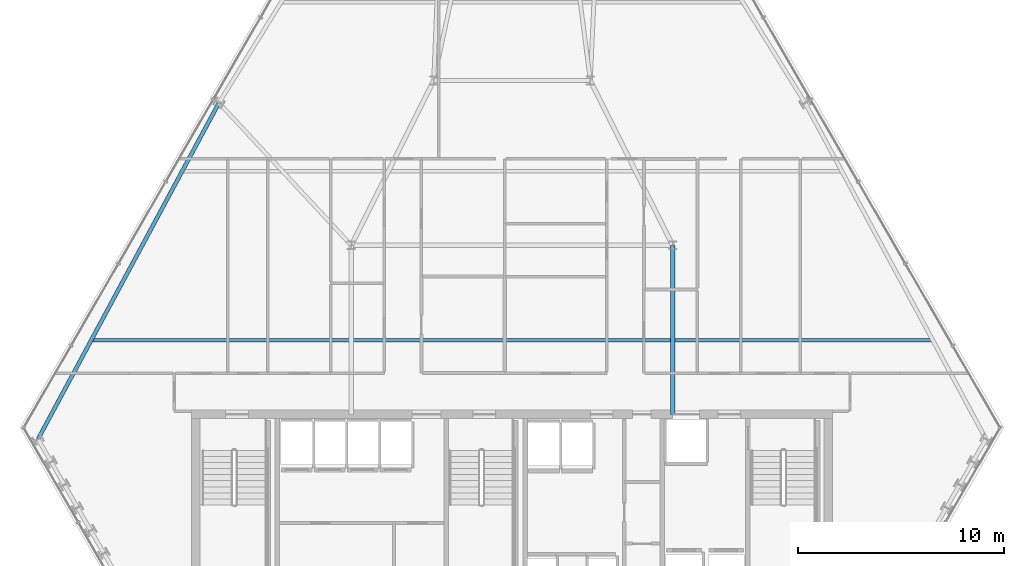
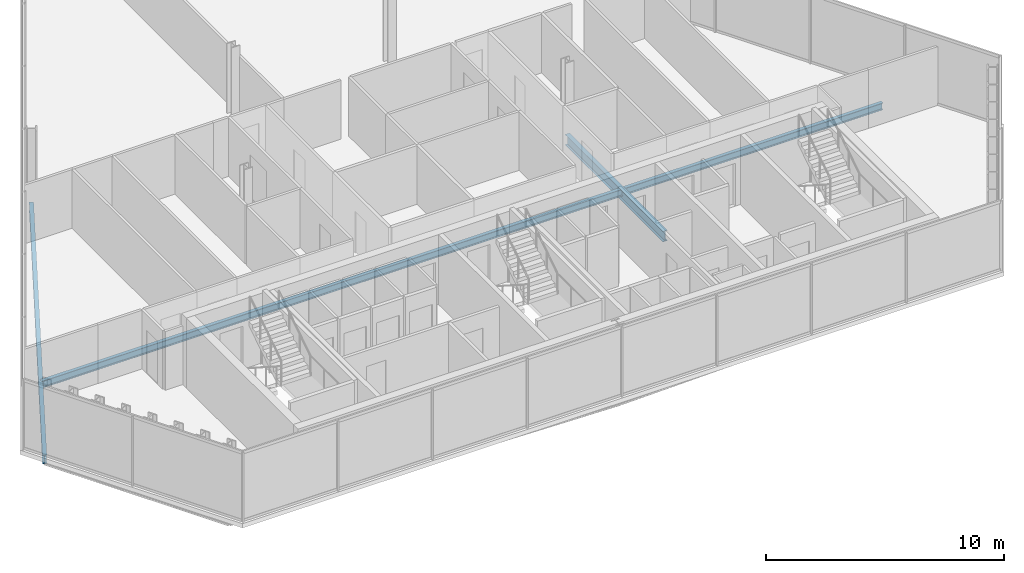
# One storey, part 10 of 33: 3 beams.
"""IFC4 building model written with IfcOpenShell, lengths in metres."""

from ifc_helpers import new_model, si_unit, direction, frame, origin, origin_2d, place, context, subcontext, project, spatial, i_section, extrude, material, material_profile, profile_set, type_object, element, save


model = new_model("IFC4")

# Units and contexts
model_context = context("Model", 3, precision=1e-05, world=origin(), true_north=direction((0.0, 1.0)))
body_context = subcontext(model_context, "Body", "Model", "MODEL_VIEW")
ifc_project = project(units=[si_unit("LENGTHUNIT", "METRE"), si_unit("AREAUNIT", "SQUARE_METRE"), si_unit("VOLUMEUNIT", "CUBIC_METRE"), si_unit("PLANEANGLEUNIT", "RADIAN"), si_unit("MASSUNIT", "GRAM", prefix="KILO")], contexts=[model_context])

# Site, building, storey
site_placement = place(None, origin())
site = spatial("IfcSite", under=ifc_project, at=site_placement, CompositionType="ELEMENT")
building_placement = place(site_placement, origin())
building = spatial("IfcBuilding", under=site, at=building_placement, Name="Ndaravel Arena Tower", CompositionType="ELEMENT")
storey_placement = place(building_placement, frame((0.0, 0.0, 165.0)))
storey = spatial("IfcBuildingStorey", under=building, at=storey_placement, Name="L39", CompositionType="ELEMENT", Elevation=165.0)

# Beams
ifc_material_1 = material(Name="Steel S355", Category="steel")
ifc_material_profile_1 = material_profile(ifc_material_1, i_section(OverallWidth=0.210693359375, OverallDepth=0.53955078125, WebThickness=0.01171875, FlangeThickness=0.018798828125, FilletRadius=0.0126953125, at=origin_2d()), Name="UB 533x210x109")
ifc_profile_set_1 = profile_set([ifc_material_profile_1], Name="Steel S355")
beam_type_1 = type_object("IfcBeamType", Name="BM-GIRD-UB533", PredefinedType="BEAM", material=ifc_profile_set_1)
beam_1_placement = place(storey_placement, frame((49.800048828125, 14.97998046875, -0.48974609375), z_axis=(0.0, 1.0, 0.0), x_axis=(-1.0, 0.0, 0.0)))
element("IfcBeam", 1, at=beam_1_placement, inside=storey, type_object=beam_type_1, Name="L39 Spine Link Girder SLG-02", PredefinedType="BEAM", context=body_context, shape_type="SweptSolid", body=[
    extrude(i_section(OverallWidth=0.210693359375, OverallDepth=0.53955078125, WebThickness=0.01171875, FlangeThickness=0.018798828125, FilletRadius=0.0126953125, at=origin_2d()), origin(), (0.0, 0.0, 1.0), 8.219970703125),
])
ifc_material_2 = material(Name="Steel S355", Category="steel")
ifc_material_profile_2 = material_profile(ifc_material_2, i_section(OverallWidth=0.172119140625, OverallDepth=0.35791015625, WebThickness=0.008056640625, FlangeThickness=0.012939453125, FilletRadius=0.01025390625, at=origin_2d()), Name="UB 356x171x57")
ifc_profile_set_2 = profile_set([ifc_material_profile_2], Name="Steel S355")
beam_type_2 = type_object("IfcBeamType", Name="BM-JOIST-UB356", PredefinedType="JOIST", material=ifc_profile_set_2)
beam_2_placement = place(storey_placement, frame((21.580322265625, 18.60009765625, -0.39892578125), z_axis=(1.0, 0.0, 0.0), x_axis=(0.0, 1.0, 0.0)))
element("IfcBeam", 2, at=beam_2_placement, inside=storey, type_object=beam_type_2, Name="L39 Composite Floor Joist FJ-01", PredefinedType="JOIST", context=body_context, shape_type="SweptSolid", body=[
    extrude(i_section(OverallWidth=0.172119140625, OverallDepth=0.35791015625, WebThickness=0.008056640625, FlangeThickness=0.012939453125, FilletRadius=0.01025390625, at=origin_2d()), origin(), (0.0, 0.0, 1.0), 40.83935546875),
])
ifc_material_3 = material(Name="Steel S355", Category="steel")
ifc_material_profile_3 = material_profile(ifc_material_3, i_section(OverallWidth=0.18994140625, OverallDepth=0.449951171875, WebThickness=0.009521484375, FlangeThickness=0.0146484375, FilletRadius=0.02099609375, at=origin_2d()), Name="IPE 450")
ifc_profile_set_3 = profile_set([ifc_material_profile_3], Name="Steel S355")
beam_type_3 = type_object("IfcBeamType", Name="BM-SPAN-IPE450", PredefinedType="SPANDREL", material=ifc_profile_set_3)
beam_3_placement = place(storey_placement, frame((27.77685546875, 30.114990234375, -0.445068359375), z_axis=(-0.473873575868, -0.880592887829, 0.0), x_axis=(0.880592887829, -0.473873575868, 0.0)))
element("IfcBeam", 3, at=beam_3_placement, inside=storey, type_object=beam_type_3, Name="L39 Perimeter Spandrel Beam SP-19", PredefinedType="SPANDREL", context=body_context, shape_type="SweptSolid", body=[
    extrude(i_section(OverallWidth=0.18994140625, OverallDepth=0.449951171875, WebThickness=0.009521484375, FlangeThickness=0.0146484375, FilletRadius=0.02099609375, at=origin_2d()), origin(), (0.0, 0.0, 1.0), 18.533935546875),
])

save(model, "model.ifc")
